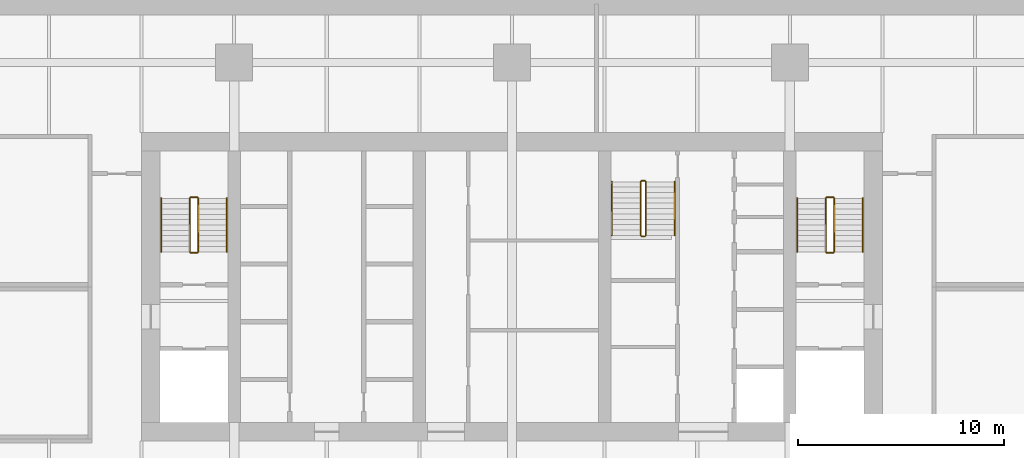
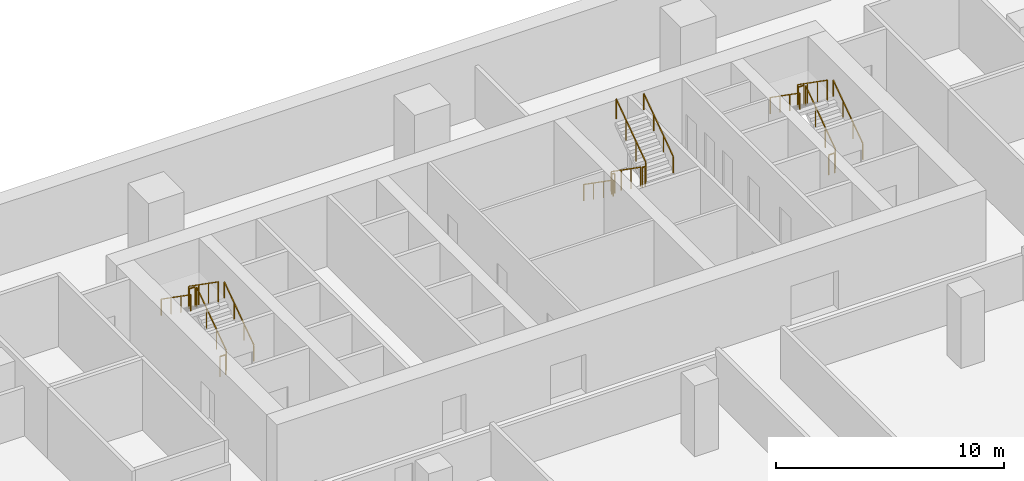
# One storey, part 10 of 10: 18 railings.
"""IFC4 building model written with IfcOpenShell, lengths in metres."""

from ifc_helpers import new_model, si_unit, direction, frame, origin, origin_2d, place, context, subcontext, project, spatial, rectangle, extrude, material, type_object, element, save


model = new_model("IFC4")

# Units and contexts
model_context = context("Model", 3, precision=1e-05, world=origin(), true_north=direction((0.0, 1.0)))
body_context = subcontext(model_context, "Body", "Model", "MODEL_VIEW")
ifc_project = project(units=[si_unit("LENGTHUNIT", "METRE"), si_unit("AREAUNIT", "SQUARE_METRE"), si_unit("VOLUMEUNIT", "CUBIC_METRE"), si_unit("PLANEANGLEUNIT", "RADIAN"), si_unit("MASSUNIT", "GRAM", prefix="KILO")], contexts=[model_context])

# Site, building, storey
site_placement = place(None, origin())
site = spatial("IfcSite", under=ifc_project, at=site_placement, CompositionType="ELEMENT")
building_placement = place(site_placement, origin())
building = spatial("IfcBuilding", under=site, at=building_placement, Name="Rattan Terrace Tower", CompositionType="ELEMENT")
storey_placement = place(building_placement, frame((0.0, 0.0, -9.5)))
storey = spatial("IfcBuildingStorey", under=building, at=storey_placement, Name="B2", CompositionType="ELEMENT", Elevation=-9.5)

# Railings
ifc_material_1 = material(Name="Powder-coated steel guard", Category="steel")
railing_type_1 = type_object("IfcRailingType", Name="Core stair guard", PredefinedType="GUARDRAIL", material=ifc_material_1)
railing_1_placement = place(storey_placement, frame((-15.25, 1.699951171875, 0.181884765625)))
element("IfcRailing", 1, at=railing_1_placement, inside=storey, type_object=railing_type_1, Name="B2 S1 stair guard 1", PredefinedType="GUARDRAIL", context=body_context, shape_type="SweptSolid", body=[
    extrude(rectangle(XDim=0.048095703125, YDim=0.048095703125, at=origin_2d()), frame((0.0, 0.0, 1.076171875), z_axis=(0.0, 0.819521025635, 0.573049115296), x_axis=(-1.0, 0.0, 0.0)), (0.0, 0.0, 1.0), 3.172607421875),
    extrude(rectangle(XDim=0.0419921875, YDim=0.0419921875, at=origin_2d()), origin(), (0.0, 0.0, 1.0), 1.052001953125),
    extrude(rectangle(XDim=0.0419921875, YDim=0.0419921875, at=origin_2d()), frame((0.0, 0.86669921875, 0.60595703125)), (0.0, 0.0, 1.0), 1.052001953125),
    extrude(rectangle(XDim=0.0419921875, YDim=0.0419921875, at=origin_2d()), frame((0.0, 1.7333984375, 1.212158203125)), (0.0, 0.0, 1.0), 1.052001953125),
    extrude(rectangle(XDim=0.0419921875, YDim=0.0419921875, at=origin_2d()), frame((0.0, 2.60009765625, 1.818115234375)), (0.0, 0.0, 1.0), 1.052001953125),
])
railing_2_placement = place(storey_placement, frame((-15.300048828125, 4.35009765625, 2.0)))
element("IfcRailing", 2, at=railing_2_placement, inside=storey, type_object=railing_type_1, Name="B2 S1 stair guard 2", PredefinedType="GUARDRAIL", context=body_context, shape_type="SweptSolid", body=[
    extrude(rectangle(XDim=0.048095703125, YDim=0.048095703125, at=origin_2d()), frame((0.0, 0.0, 1.076171875), z_axis=(-1.0, 0.0, 0.0), x_axis=(0.0, -1.0, 0.0)), (0.0, 0.0, 1.0), 0.300048828125),
    extrude(rectangle(XDim=0.0419921875, YDim=0.0419921875, at=origin_2d()), origin(), (0.0, 0.0, 1.0), 1.052001953125),
    extrude(rectangle(XDim=0.0419921875, YDim=0.0419921875, at=origin_2d()), frame((-0.300048828125, 0.0, 0.0)), (0.0, 0.0, 1.0), 1.052001953125),
])
railing_3_placement = place(storey_placement, frame((-15.64990234375, 4.300048828125, 2.181884765625)))
element("IfcRailing", 3, at=railing_3_placement, inside=storey, type_object=railing_type_1, Name="B2 S1 stair guard 3", PredefinedType="GUARDRAIL", context=body_context, shape_type="SweptSolid", body=[
    extrude(rectangle(XDim=0.048095703125, YDim=0.048095703125, at=origin_2d()), frame((0.0, 0.0, 1.076171875), z_axis=(0.0, -0.819521025635, 0.573049115296), x_axis=(1.0, 0.0, 0.0)), (0.0, 0.0, 1.0), 3.172607421875),
    extrude(rectangle(XDim=0.0419921875, YDim=0.0419921875, at=origin_2d()), origin(), (0.0, 0.0, 1.0), 1.052001953125),
    extrude(rectangle(XDim=0.0419921875, YDim=0.0419921875, at=origin_2d()), frame((0.0, -0.86669921875, 0.60595703125)), (0.0, 0.0, 1.0), 1.052001953125),
    extrude(rectangle(XDim=0.0419921875, YDim=0.0419921875, at=origin_2d()), frame((0.0, -1.7333984375, 1.212158203125)), (0.0, 0.0, 1.0), 1.052001953125),
    extrude(rectangle(XDim=0.0419921875, YDim=0.0419921875, at=origin_2d()), frame((0.0, -2.60009765625, 1.818115234375)), (0.0, 0.0, 1.0), 1.052001953125),
])
railing_4_placement = place(storey_placement, frame((-15.300048828125, 1.64990234375, 0.0)))
element("IfcRailing", 4, at=railing_4_placement, inside=storey, type_object=railing_type_1, Name="B2 S1 stair guard 4", PredefinedType="GUARDRAIL", context=body_context, shape_type="SweptSolid", body=[
    extrude(rectangle(XDim=0.048095703125, YDim=0.048095703125, at=origin_2d()), frame((0.0, 0.0, 1.076171875), z_axis=(-1.0, 0.0, 0.0), x_axis=(0.0, -1.0, 0.0)), (0.0, 0.0, 1.0), 0.300048828125),
    extrude(rectangle(XDim=0.0419921875, YDim=0.0419921875, at=origin_2d()), origin(), (0.0, 0.0, 1.0), 1.052001953125),
    extrude(rectangle(XDim=0.0419921875, YDim=0.0419921875, at=origin_2d()), frame((-0.300048828125, 0.0, 0.0)), (0.0, 0.0, 1.0), 1.052001953125),
])
railing_5_placement = place(storey_placement, frame((15.64990234375, 1.699951171875, 0.181884765625)))
element("IfcRailing", 5, at=railing_5_placement, inside=storey, type_object=railing_type_1, Name="B2 S2 stair guard 1", PredefinedType="GUARDRAIL", context=body_context, shape_type="SweptSolid", body=[
    extrude(rectangle(XDim=0.048095703125, YDim=0.048095703125, at=origin_2d()), frame((0.0, 0.0, 1.076171875), z_axis=(0.0, 0.819521025635, 0.573049115296), x_axis=(-1.0, 0.0, 0.0)), (0.0, 0.0, 1.0), 3.172607421875),
    extrude(rectangle(XDim=0.0419921875, YDim=0.0419921875, at=origin_2d()), origin(), (0.0, 0.0, 1.0), 1.052001953125),
    extrude(rectangle(XDim=0.0419921875, YDim=0.0419921875, at=origin_2d()), frame((0.0, 0.86669921875, 0.60595703125)), (0.0, 0.0, 1.0), 1.052001953125),
    extrude(rectangle(XDim=0.0419921875, YDim=0.0419921875, at=origin_2d()), frame((0.0, 1.7333984375, 1.212158203125)), (0.0, 0.0, 1.0), 1.052001953125),
    extrude(rectangle(XDim=0.0419921875, YDim=0.0419921875, at=origin_2d()), frame((0.0, 2.60009765625, 1.818115234375)), (0.0, 0.0, 1.0), 1.052001953125),
])
railing_6_placement = place(storey_placement, frame((15.60009765625, 4.35009765625, 2.0)))
element("IfcRailing", 6, at=railing_6_placement, inside=storey, type_object=railing_type_1, Name="B2 S2 stair guard 2", PredefinedType="GUARDRAIL", context=body_context, shape_type="SweptSolid", body=[
    extrude(rectangle(XDim=0.048095703125, YDim=0.048095703125, at=origin_2d()), frame((0.0, 0.0, 1.076171875), z_axis=(-1.0, 0.0, 0.0), x_axis=(0.0, -1.0, 0.0)), (0.0, 0.0, 1.0), 0.300048828125),
    extrude(rectangle(XDim=0.0419921875, YDim=0.0419921875, at=origin_2d()), origin(), (0.0, 0.0, 1.0), 1.052001953125),
    extrude(rectangle(XDim=0.0419921875, YDim=0.0419921875, at=origin_2d()), frame((-0.300048828125, 0.0, 0.0)), (0.0, 0.0, 1.0), 1.052001953125),
])
railing_7_placement = place(storey_placement, frame((15.25, 4.300048828125, 2.181884765625)))
element("IfcRailing", 7, at=railing_7_placement, inside=storey, type_object=railing_type_1, Name="B2 S2 stair guard 3", PredefinedType="GUARDRAIL", context=body_context, shape_type="SweptSolid", body=[
    extrude(rectangle(XDim=0.048095703125, YDim=0.048095703125, at=origin_2d()), frame((0.0, 0.0, 1.076171875), z_axis=(0.0, -0.819521025635, 0.573049115296), x_axis=(1.0, 0.0, 0.0)), (0.0, 0.0, 1.0), 3.172607421875),
    extrude(rectangle(XDim=0.0419921875, YDim=0.0419921875, at=origin_2d()), origin(), (0.0, 0.0, 1.0), 1.052001953125),
    extrude(rectangle(XDim=0.0419921875, YDim=0.0419921875, at=origin_2d()), frame((0.0, -0.86669921875, 0.60595703125)), (0.0, 0.0, 1.0), 1.052001953125),
    extrude(rectangle(XDim=0.0419921875, YDim=0.0419921875, at=origin_2d()), frame((0.0, -1.7333984375, 1.212158203125)), (0.0, 0.0, 1.0), 1.052001953125),
    extrude(rectangle(XDim=0.0419921875, YDim=0.0419921875, at=origin_2d()), frame((0.0, -2.60009765625, 1.818115234375)), (0.0, 0.0, 1.0), 1.052001953125),
])
railing_8_placement = place(storey_placement, frame((15.60009765625, 1.64990234375, 0.0)))
element("IfcRailing", 8, at=railing_8_placement, inside=storey, type_object=railing_type_1, Name="B2 S2 stair guard 4", PredefinedType="GUARDRAIL", context=body_context, shape_type="SweptSolid", body=[
    extrude(rectangle(XDim=0.048095703125, YDim=0.048095703125, at=origin_2d()), frame((0.0, 0.0, 1.076171875), z_axis=(-1.0, 0.0, 0.0), x_axis=(0.0, -1.0, 0.0)), (0.0, 0.0, 1.0), 0.300048828125),
    extrude(rectangle(XDim=0.0419921875, YDim=0.0419921875, at=origin_2d()), origin(), (0.0, 0.0, 1.0), 1.052001953125),
    extrude(rectangle(XDim=0.0419921875, YDim=0.0419921875, at=origin_2d()), frame((-0.300048828125, 0.0, 0.0)), (0.0, 0.0, 1.0), 1.052001953125),
])
railing_9_placement = place(storey_placement, frame((6.25, 5.10009765625, 0.181884765625)))
element("IfcRailing", 9, at=railing_9_placement, inside=storey, type_object=railing_type_1, Name="B2 S3 stair guard 1", PredefinedType="GUARDRAIL", context=body_context, shape_type="SweptSolid", body=[
    extrude(rectangle(XDim=0.048095703125, YDim=0.048095703125, at=origin_2d()), frame((0.0, 0.0, 1.076171875), z_axis=(0.0, -0.819521025635, 0.573049115296), x_axis=(1.0, 0.0, 0.0)), (0.0, 0.0, 1.0), 3.172607421875),
    extrude(rectangle(XDim=0.0419921875, YDim=0.0419921875, at=origin_2d()), origin(), (0.0, 0.0, 1.0), 1.052001953125),
    extrude(rectangle(XDim=0.0419921875, YDim=0.0419921875, at=origin_2d()), frame((0.0, -0.86669921875, 0.60595703125)), (0.0, 0.0, 1.0), 1.052001953125),
    extrude(rectangle(XDim=0.0419921875, YDim=0.0419921875, at=origin_2d()), frame((0.0, -1.7333984375, 1.212158203125)), (0.0, 0.0, 1.0), 1.052001953125),
    extrude(rectangle(XDim=0.0419921875, YDim=0.0419921875, at=origin_2d()), frame((0.0, -2.60009765625, 1.818115234375)), (0.0, 0.0, 1.0), 1.052001953125),
])
railing_10_placement = place(storey_placement, frame((6.300048828125, 2.449951171875, 2.0)))
element("IfcRailing", 10, at=railing_10_placement, inside=storey, type_object=railing_type_1, Name="B2 S3 stair guard 2", PredefinedType="GUARDRAIL", context=body_context, shape_type="SweptSolid", body=[
    extrude(rectangle(XDim=0.048095703125, YDim=0.048095703125, at=origin_2d()), frame((0.0, 0.0, 1.076171875), z_axis=(1.0, 0.0, 0.0), x_axis=(0.0, 1.0, 0.0)), (0.0, 0.0, 1.0), 0.14990234375),
    extrude(rectangle(XDim=0.0419921875, YDim=0.0419921875, at=origin_2d()), origin(), (0.0, 0.0, 1.0), 1.052001953125),
    extrude(rectangle(XDim=0.0419921875, YDim=0.0419921875, at=origin_2d()), frame((0.14990234375, 0.0, 0.0)), (0.0, 0.0, 1.0), 1.052001953125),
])
railing_11_placement = place(storey_placement, frame((6.5, 2.5, 2.181884765625)))
element("IfcRailing", 11, at=railing_11_placement, inside=storey, type_object=railing_type_1, Name="B2 S3 stair guard 3", PredefinedType="GUARDRAIL", context=body_context, shape_type="SweptSolid", body=[
    extrude(rectangle(XDim=0.048095703125, YDim=0.048095703125, at=origin_2d()), frame((0.0, 0.0, 1.076171875), z_axis=(0.0, 0.819521025635, 0.573049115296), x_axis=(-1.0, 0.0, 0.0)), (0.0, 0.0, 1.0), 3.172607421875),
    extrude(rectangle(XDim=0.0419921875, YDim=0.0419921875, at=origin_2d()), origin(), (0.0, 0.0, 1.0), 1.052001953125),
    extrude(rectangle(XDim=0.0419921875, YDim=0.0419921875, at=origin_2d()), frame((0.0, 0.86669921875, 0.60595703125)), (0.0, 0.0, 1.0), 1.052001953125),
    extrude(rectangle(XDim=0.0419921875, YDim=0.0419921875, at=origin_2d()), frame((0.0, 1.7333984375, 1.212158203125)), (0.0, 0.0, 1.0), 1.052001953125),
    extrude(rectangle(XDim=0.0419921875, YDim=0.0419921875, at=origin_2d()), frame((0.0, 2.60009765625, 1.818115234375)), (0.0, 0.0, 1.0), 1.052001953125),
])
railing_12_placement = place(storey_placement, frame((6.300048828125, 5.14990234375, 0.0)))
element("IfcRailing", 12, at=railing_12_placement, inside=storey, type_object=railing_type_1, Name="B2 S3 stair guard 4", PredefinedType="GUARDRAIL", context=body_context, shape_type="SweptSolid", body=[
    extrude(rectangle(XDim=0.048095703125, YDim=0.048095703125, at=origin_2d()), frame((0.0, 0.0, 1.076171875), z_axis=(1.0, 0.0, 0.0), x_axis=(0.0, 1.0, 0.0)), (0.0, 0.0, 1.0), 0.14990234375),
    extrude(rectangle(XDim=0.0419921875, YDim=0.0419921875, at=origin_2d()), origin(), (0.0, 0.0, 1.0), 1.052001953125),
    extrude(rectangle(XDim=0.0419921875, YDim=0.0419921875, at=origin_2d()), frame((0.14990234375, 0.0, 0.0)), (0.0, 0.0, 1.0), 1.052001953125),
])
ifc_material_2 = material(Name="Powder-coated steel handrail", Category="steel")
railing_type_2 = type_object("IfcRailingType", Name="Core stair handrail", PredefinedType="HANDRAIL", material=ifc_material_2)
railing_13_placement = place(storey_placement, frame((-13.85009765625, 1.699951171875, 0.181884765625)))
element("IfcRailing", 13, at=railing_13_placement, inside=storey, type_object=railing_type_2, Name="B2 S1 stair handrail 1", PredefinedType="HANDRAIL", context=body_context, shape_type="SweptSolid", body=[
    extrude(rectangle(XDim=0.048095703125, YDim=0.048095703125, at=origin_2d()), frame((0.0, 0.0, 0.8759765625), z_axis=(0.0, 0.819521025635, 0.573049115296), x_axis=(-1.0, 0.0, 0.0)), (0.0, 0.0, 1.0), 3.172607421875),
    extrude(rectangle(XDim=0.0419921875, YDim=0.0419921875, at=origin_2d()), origin(), (0.0, 0.0, 1.0), 0.851806640625),
    extrude(rectangle(XDim=0.0419921875, YDim=0.0419921875, at=origin_2d()), frame((0.0, 0.86669921875, 0.60595703125)), (0.0, 0.0, 1.0), 0.851806640625),
    extrude(rectangle(XDim=0.0419921875, YDim=0.0419921875, at=origin_2d()), frame((0.0, 1.7333984375, 1.212158203125)), (0.0, 0.0, 1.0), 0.851806640625),
    extrude(rectangle(XDim=0.0419921875, YDim=0.0419921875, at=origin_2d()), frame((0.0, 2.60009765625, 1.818115234375)), (0.0, 0.0, 1.0), 0.851806640625),
])
railing_14_placement = place(storey_placement, frame((-17.050048828125, 4.300048828125, 2.181884765625)))
element("IfcRailing", 14, at=railing_14_placement, inside=storey, type_object=railing_type_2, Name="B2 S1 stair handrail 2", PredefinedType="HANDRAIL", context=body_context, shape_type="SweptSolid", body=[
    extrude(rectangle(XDim=0.048095703125, YDim=0.048095703125, at=origin_2d()), frame((0.0, 0.0, 0.8759765625), z_axis=(0.0, -0.819521025635, 0.573049115296), x_axis=(1.0, 0.0, 0.0)), (0.0, 0.0, 1.0), 3.172607421875),
    extrude(rectangle(XDim=0.0419921875, YDim=0.0419921875, at=origin_2d()), origin(), (0.0, 0.0, 1.0), 0.851806640625),
    extrude(rectangle(XDim=0.0419921875, YDim=0.0419921875, at=origin_2d()), frame((0.0, -0.86669921875, 0.60595703125)), (0.0, 0.0, 1.0), 0.851806640625),
    extrude(rectangle(XDim=0.0419921875, YDim=0.0419921875, at=origin_2d()), frame((0.0, -1.7333984375, 1.212158203125)), (0.0, 0.0, 1.0), 0.851806640625),
    extrude(rectangle(XDim=0.0419921875, YDim=0.0419921875, at=origin_2d()), frame((0.0, -2.60009765625, 1.818115234375)), (0.0, 0.0, 1.0), 0.851806640625),
])
railing_15_placement = place(storey_placement, frame((17.050048828125, 1.699951171875, 0.181884765625)))
element("IfcRailing", 15, at=railing_15_placement, inside=storey, type_object=railing_type_2, Name="B2 S2 stair handrail 1", PredefinedType="HANDRAIL", context=body_context, shape_type="SweptSolid", body=[
    extrude(rectangle(XDim=0.048095703125, YDim=0.048095703125, at=origin_2d()), frame((0.0, 0.0, 0.8759765625), z_axis=(0.0, 0.819521025635, 0.573049115296), x_axis=(-1.0, 0.0, 0.0)), (0.0, 0.0, 1.0), 3.172607421875),
    extrude(rectangle(XDim=0.0419921875, YDim=0.0419921875, at=origin_2d()), origin(), (0.0, 0.0, 1.0), 0.851806640625),
    extrude(rectangle(XDim=0.0419921875, YDim=0.0419921875, at=origin_2d()), frame((0.0, 0.86669921875, 0.60595703125)), (0.0, 0.0, 1.0), 0.851806640625),
    extrude(rectangle(XDim=0.0419921875, YDim=0.0419921875, at=origin_2d()), frame((0.0, 1.7333984375, 1.212158203125)), (0.0, 0.0, 1.0), 0.851806640625),
    extrude(rectangle(XDim=0.0419921875, YDim=0.0419921875, at=origin_2d()), frame((0.0, 2.60009765625, 1.818115234375)), (0.0, 0.0, 1.0), 0.851806640625),
])
for number, where, name in (
    (16, (13.85009765625, 4.300048828125, 2.181884765625), "B2 S2 stair handrail 2"),
    (17, (4.85009765625, 5.10009765625, 0.181884765625), "B2 S3 stair handrail 1"),
):
    element("IfcRailing", number, at=place(storey_placement, frame(where)), inside=storey, type_object=railing_type_2, Name=name, PredefinedType="HANDRAIL", context=body_context, shape_type="SweptSolid", body=[
        extrude(rectangle(XDim=0.048095703125, YDim=0.048095703125, at=origin_2d()), frame((0.0, 0.0, 0.8759765625), z_axis=(0.0, -0.819521025635, 0.573049115296), x_axis=(1.0, 0.0, 0.0)), (0.0, 0.0, 1.0), 3.172607421875),
        extrude(rectangle(XDim=0.0419921875, YDim=0.0419921875, at=origin_2d()), origin(), (0.0, 0.0, 1.0), 0.851806640625),
        extrude(rectangle(XDim=0.0419921875, YDim=0.0419921875, at=origin_2d()), frame((0.0, -0.86669921875, 0.60595703125)), (0.0, 0.0, 1.0), 0.851806640625),
        extrude(rectangle(XDim=0.0419921875, YDim=0.0419921875, at=origin_2d()), frame((0.0, -1.7333984375, 1.212158203125)), (0.0, 0.0, 1.0), 0.851806640625),
        extrude(rectangle(XDim=0.0419921875, YDim=0.0419921875, at=origin_2d()), frame((0.0, -2.60009765625, 1.818115234375)), (0.0, 0.0, 1.0), 0.851806640625),
    ])
railing_16_placement = place(storey_placement, frame((7.89990234375, 2.5, 2.181884765625)))
element("IfcRailing", 18, at=railing_16_placement, inside=storey, type_object=railing_type_2, Name="B2 S3 stair handrail 2", PredefinedType="HANDRAIL", context=body_context, shape_type="SweptSolid", body=[
    extrude(rectangle(XDim=0.048095703125, YDim=0.048095703125, at=origin_2d()), frame((0.0, 0.0, 0.8759765625), z_axis=(0.0, 0.819521025635, 0.573049115296), x_axis=(-1.0, 0.0, 0.0)), (0.0, 0.0, 1.0), 3.172607421875),
    extrude(rectangle(XDim=0.0419921875, YDim=0.0419921875, at=origin_2d()), origin(), (0.0, 0.0, 1.0), 0.851806640625),
    extrude(rectangle(XDim=0.0419921875, YDim=0.0419921875, at=origin_2d()), frame((0.0, 0.86669921875, 0.60595703125)), (0.0, 0.0, 1.0), 0.851806640625),
    extrude(rectangle(XDim=0.0419921875, YDim=0.0419921875, at=origin_2d()), frame((0.0, 1.7333984375, 1.212158203125)), (0.0, 0.0, 1.0), 0.851806640625),
    extrude(rectangle(XDim=0.0419921875, YDim=0.0419921875, at=origin_2d()), frame((0.0, 2.60009765625, 1.818115234375)), (0.0, 0.0, 1.0), 0.851806640625),
])

save(model, "model.ifc")
